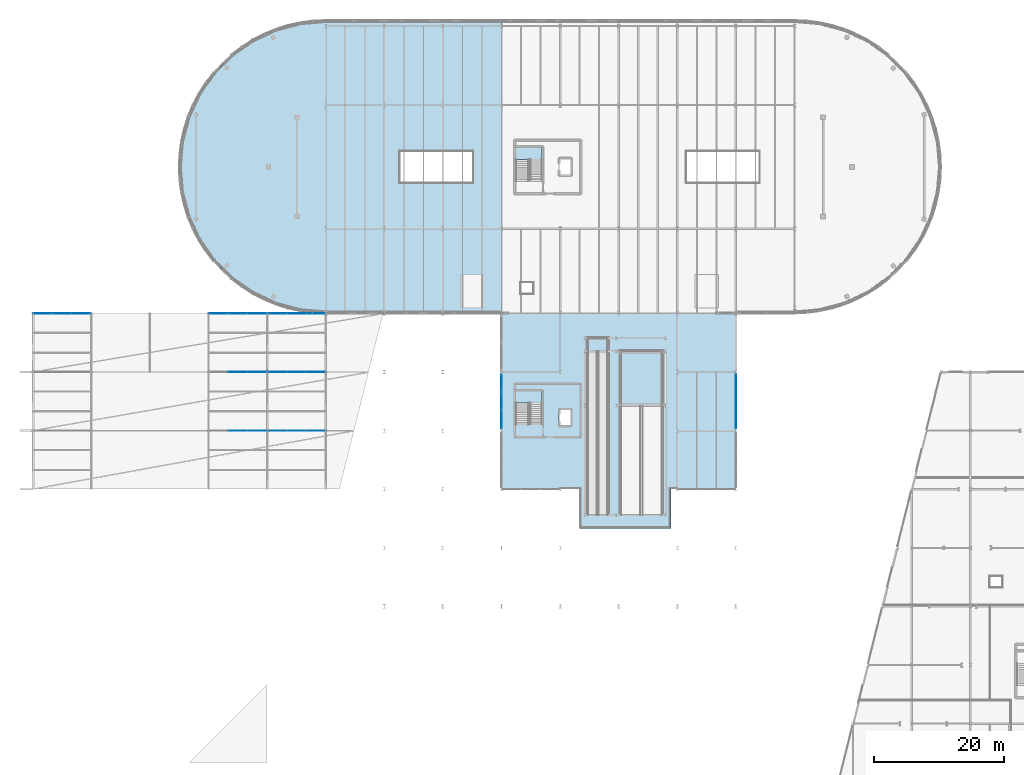
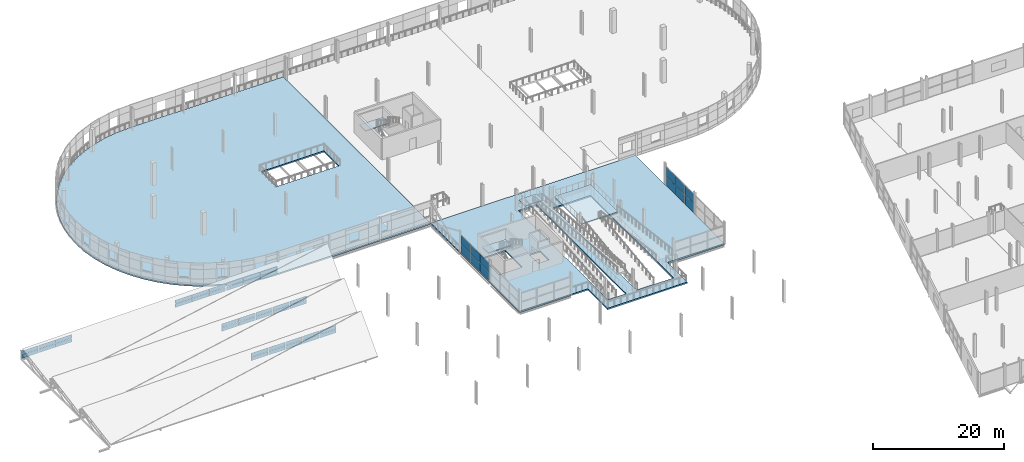
# One storey, part 72 of 103: 50 plates, 6 slabs, 12 elements without a shape of their own.
"""IFC4 building model written with IfcOpenShell, lengths in metres."""

from ifc_helpers import new_model, si_unit, direction, frame, origin, origin_2d, place, context, subcontext, project, spatial, polyline, rectangle, outline, extrude, material, layer, layer_set, type_object, element, aggregate, save


model = new_model("IFC4")

# Units and contexts
model_context = context("Model", 3, precision=1e-05, world=origin(), true_north=direction((0.0, 1.0)))
body_context = subcontext(model_context, "Body", "Model", "MODEL_VIEW")
ifc_project = project(units=[si_unit("LENGTHUNIT", "METRE"), si_unit("AREAUNIT", "SQUARE_METRE"), si_unit("VOLUMEUNIT", "CUBIC_METRE"), si_unit("PLANEANGLEUNIT", "RADIAN"), si_unit("MASSUNIT", "GRAM", prefix="KILO")], contexts=[model_context])

# Site, building, storey
site_placement = place(None, origin())
site = spatial("IfcSite", under=ifc_project, at=site_placement, CompositionType="ELEMENT")
building_placement = place(site_placement, origin())
building = spatial("IfcBuilding", under=site, at=building_placement, Name="Deido Ridge Mobility Hub", CompositionType="ELEMENT")
storey_placement = place(building_placement, frame((0.0, 0.0, 12.60009765625)))
storey = spatial("IfcBuildingStorey", under=building, at=storey_placement, Name="L03", CompositionType="ELEMENT", Elevation=12.60009765625)

# Curtain wall, plates
ifc_material_1 = material(Name="Anodised aluminium EN AW-6063 T6", Category="aluminium")
ifc_layer_1 = layer(ifc_material_1, 0.2548828125, Name="Anodised aluminium EN AW-6063 T6")
ifc_layer_set_1 = layer_set([ifc_layer_1], Name="Anodised aluminium EN AW-6063 T6")
curtain_wall_type_1 = type_object("IfcCurtainWallType", Name="CW-UF-7", PredefinedType="USERDEFINED", material=ifc_layer_set_1)
curtain_wall_1_placement = place(storey_placement, origin())
curtain_wall_1 = element("IfcCurtainWall", 1, at=curtain_wall_1_placement, inside=storey, type_object=curtain_wall_type_1, Name="Unitised curtain wall CW7", ObjectType="UNITISED FACADE", PredefinedType="USERDEFINED")
ifc_material_2 = material(Name="Laminated solar-control low-E glass", Category="glass")
ifc_layer_2 = layer(ifc_material_2, 0.02587890625, Name="Laminated solar-control low-E glass")
ifc_layer_set_2 = layer_set([ifc_layer_2], Name="Laminated solar-control low-E glass")
plate_type_1 = type_object("IfcPlateType", Name="PLT-CWP-26", PredefinedType="CURTAIN_PANEL", material=ifc_layer_set_2)
plate_1_placement = place(storey_placement, frame((108.0, 64.67919921875, 0.0498046875), z_axis=(0.0, 0.0, 1.0), x_axis=(0.0, 1.0, 0.0)))
plate_1 = element("IfcPlate", 2, at=plate_1_placement, type_object=plate_type_1, Name="CW7 panel 1.1", PredefinedType="CURTAIN_PANEL", context=body_context, shape_type="SweptSolid", body=[
    extrude(rectangle(XDim=2.75830078125, YDim=0.02587890625, at=origin_2d()), origin(), (0.0, 0.0, 1.0), 1.72509765625),
])
plate_2_placement = place(storey_placement, frame((108.0, 64.67919921875, 1.824951171875), z_axis=(0.0, 0.0, 1.0), x_axis=(0.0, 1.0, 0.0)))
plate_2 = element("IfcPlate", 3, at=plate_2_placement, type_object=plate_type_1, Name="CW7 panel 1.2", PredefinedType="CURTAIN_PANEL", context=body_context, shape_type="SweptSolid", body=[
    extrude(rectangle(XDim=2.75830078125, YDim=0.02587890625, at=origin_2d()), origin(), (0.0, 0.0, 1.0), 1.72509765625),
])
plate_3_placement = place(storey_placement, frame((108.0, 67.5, 0.0498046875), z_axis=(0.0, 0.0, 1.0), x_axis=(0.0, 1.0, 0.0)))
plate_3 = element("IfcPlate", 4, at=plate_3_placement, type_object=plate_type_1, Name="CW7 panel 2.1", PredefinedType="CURTAIN_PANEL", context=body_context, shape_type="SweptSolid", body=[
    extrude(rectangle(XDim=2.783447265625, YDim=0.02587890625, at=origin_2d()), origin(), (0.0, 0.0, 1.0), 1.72509765625),
])
plate_4_placement = place(storey_placement, frame((108.0, 67.5, 1.824951171875), z_axis=(0.0, 0.0, 1.0), x_axis=(0.0, 1.0, 0.0)))
plate_4 = element("IfcPlate", 5, at=plate_4_placement, type_object=plate_type_1, Name="CW7 panel 2.2", PredefinedType="CURTAIN_PANEL", context=body_context, shape_type="SweptSolid", body=[
    extrude(rectangle(XDim=2.783447265625, YDim=0.02587890625, at=origin_2d()), origin(), (0.0, 0.0, 1.0), 1.72509765625),
])
plate_5_placement = place(storey_placement, frame((108.0, 70.32080078125, 0.0498046875), z_axis=(0.0, 0.0, 1.0), x_axis=(0.0, 1.0, 0.0)))
plate_5 = element("IfcPlate", 6, at=plate_5_placement, type_object=plate_type_1, Name="CW7 panel 3.1", PredefinedType="CURTAIN_PANEL", context=body_context, shape_type="SweptSolid", body=[
    extrude(rectangle(XDim=2.75830078125, YDim=0.02587890625, at=origin_2d()), origin(), (0.0, 0.0, 1.0), 1.72509765625),
])
plate_6_placement = place(storey_placement, frame((108.0, 70.32080078125, 1.824951171875), z_axis=(0.0, 0.0, 1.0), x_axis=(0.0, 1.0, 0.0)))
plate_6 = element("IfcPlate", 7, at=plate_6_placement, type_object=plate_type_1, Name="CW7 panel 3.2", PredefinedType="CURTAIN_PANEL", context=body_context, shape_type="SweptSolid", body=[
    extrude(rectangle(XDim=2.75830078125, YDim=0.02587890625, at=origin_2d()), origin(), (0.0, 0.0, 1.0), 1.72509765625),
])
aggregate(curtain_wall_1, [plate_1, plate_2, plate_3, plate_4, plate_5, plate_6])

ifc_layer_3 = layer(ifc_material_1, 0.14404296875, Name="Anodised aluminium EN AW-6063 T6")
ifc_layer_set_3 = layer_set([ifc_layer_3], Name="Anodised aluminium EN AW-6063 T6")
curtain_wall_type_2 = type_object("IfcCurtainWallType", Name="CW-GS-2", PredefinedType="USERDEFINED", material=ifc_layer_set_3)
curtain_wall_2_placement = place(storey_placement, origin())
curtain_wall_2 = element("IfcCurtainWall", 8, at=curtain_wall_2_placement, inside=storey, type_object=curtain_wall_type_2, Name="Unitised curtain wall GS2", ObjectType="GLAZED SCREEN", PredefinedType="USERDEFINED")
ifc_layer_4 = layer(ifc_material_2, 0.031005859375, Name="Laminated solar-control low-E glass")
ifc_layer_set_4 = layer_set([ifc_layer_4], Name="Laminated solar-control low-E glass")
plate_type_2 = type_object("IfcPlateType", Name="PLT-CWP-31", PredefinedType="CURTAIN_PANEL", material=ifc_layer_set_4)
plate_7_placement = place(storey_placement, frame((31.5, 63.0, 0.06005859375), z_axis=(0.0, 0.0, 1.0), x_axis=(1.0, 0.0, 0.0)))
plate_7 = element("IfcPlate", 9, at=plate_7_placement, type_object=plate_type_2, Name="GS2 panel 2.1", PredefinedType="CURTAIN_PANEL", context=body_context, shape_type="SweptSolid", body=[
    extrude(rectangle(XDim=2.93994140625, YDim=0.031005859375, at=origin_2d()), origin(), (0.0, 0.0, 1.0), 0.669921875),
])
plate_8_placement = place(storey_placement, frame((31.5, 63.0, 0.7900390625), z_axis=(0.0, 0.0, 1.0), x_axis=(1.0, 0.0, 0.0)))
plate_8 = element("IfcPlate", 10, at=plate_8_placement, type_object=plate_type_2, Name="GS2 panel 2.2", PredefinedType="CURTAIN_PANEL", context=body_context, shape_type="SweptSolid", body=[
    extrude(rectangle(XDim=2.93994140625, YDim=0.031005859375, at=origin_2d()), origin(), (0.0, 0.0, 1.0), 0.669921875),
])
plate_9_placement = place(storey_placement, frame((34.485107421875, 63.0, 0.06005859375), z_axis=(0.0, 0.0, 1.0), x_axis=(1.0, 0.0, 0.0)))
plate_9 = element("IfcPlate", 11, at=plate_9_placement, type_object=plate_type_2, Name="GS2 panel 3.1", PredefinedType="CURTAIN_PANEL", context=body_context, shape_type="SweptSolid", body=[
    extrude(rectangle(XDim=2.909912109375, YDim=0.031005859375, at=origin_2d()), origin(), (0.0, 0.0, 1.0), 0.669921875),
])
plate_10_placement = place(storey_placement, frame((34.485107421875, 63.0, 0.7900390625), z_axis=(0.0, 0.0, 1.0), x_axis=(1.0, 0.0, 0.0)))
plate_10 = element("IfcPlate", 12, at=plate_10_placement, type_object=plate_type_2, Name="GS2 panel 3.2", PredefinedType="CURTAIN_PANEL", context=body_context, shape_type="SweptSolid", body=[
    extrude(rectangle(XDim=2.909912109375, YDim=0.031005859375, at=origin_2d()), origin(), (0.0, 0.0, 1.0), 0.669921875),
])
aggregate(curtain_wall_2, [plate_7, plate_8, plate_9, plate_10])

curtain_wall_3_placement = place(storey_placement, origin())
curtain_wall_3 = element("IfcCurtainWall", 13, at=curtain_wall_3_placement, inside=storey, type_object=curtain_wall_type_2, Name="Unitised curtain wall GS2", ObjectType="GLAZED SCREEN", PredefinedType="USERDEFINED")
plate_11_placement = place(storey_placement, frame((37.514892578125, 63.0, 0.06005859375), z_axis=(0.0, 0.0, 1.0), x_axis=(1.0, 0.0, 0.0)))
plate_11 = element("IfcPlate", 14, at=plate_11_placement, type_object=plate_type_2, Name="GS2 panel 1.1", PredefinedType="CURTAIN_PANEL", context=body_context, shape_type="SweptSolid", body=[
    extrude(rectangle(XDim=2.909912109375, YDim=0.031005859375, at=origin_2d()), origin(), (0.0, 0.0, 1.0), 0.669921875),
])
plate_12_placement = place(storey_placement, frame((37.514892578125, 63.0, 0.7900390625), z_axis=(0.0, 0.0, 1.0), x_axis=(1.0, 0.0, 0.0)))
plate_12 = element("IfcPlate", 15, at=plate_12_placement, type_object=plate_type_2, Name="GS2 panel 1.2", PredefinedType="CURTAIN_PANEL", context=body_context, shape_type="SweptSolid", body=[
    extrude(rectangle(XDim=2.909912109375, YDim=0.031005859375, at=origin_2d()), origin(), (0.0, 0.0, 1.0), 0.669921875),
])
plate_13_placement = place(storey_placement, frame((40.5, 63.0, 0.06005859375), z_axis=(0.0, 0.0, 1.0), x_axis=(1.0, 0.0, 0.0)))
plate_13 = element("IfcPlate", 16, at=plate_13_placement, type_object=plate_type_2, Name="GS2 panel 2.1", PredefinedType="CURTAIN_PANEL", context=body_context, shape_type="SweptSolid", body=[
    extrude(rectangle(XDim=2.93994140625, YDim=0.031005859375, at=origin_2d()), origin(), (0.0, 0.0, 1.0), 0.669921875),
])
plate_14_placement = place(storey_placement, frame((40.5, 63.0, 0.7900390625), z_axis=(0.0, 0.0, 1.0), x_axis=(1.0, 0.0, 0.0)))
plate_14 = element("IfcPlate", 17, at=plate_14_placement, type_object=plate_type_2, Name="GS2 panel 2.2", PredefinedType="CURTAIN_PANEL", context=body_context, shape_type="SweptSolid", body=[
    extrude(rectangle(XDim=2.93994140625, YDim=0.031005859375, at=origin_2d()), origin(), (0.0, 0.0, 1.0), 0.669921875),
])
plate_15_placement = place(storey_placement, frame((43.485107421875, 63.0, 0.06005859375), z_axis=(0.0, 0.0, 1.0), x_axis=(1.0, 0.0, 0.0)))
plate_15 = element("IfcPlate", 18, at=plate_15_placement, type_object=plate_type_2, Name="GS2 panel 3.1", PredefinedType="CURTAIN_PANEL", context=body_context, shape_type="SweptSolid", body=[
    extrude(rectangle(XDim=2.909912109375, YDim=0.031005859375, at=origin_2d()), origin(), (0.0, 0.0, 1.0), 0.669921875),
])
plate_16_placement = place(storey_placement, frame((43.485107421875, 63.0, 0.7900390625), z_axis=(0.0, 0.0, 1.0), x_axis=(1.0, 0.0, 0.0)))
plate_16 = element("IfcPlate", 19, at=plate_16_placement, type_object=plate_type_2, Name="GS2 panel 3.2", PredefinedType="CURTAIN_PANEL", context=body_context, shape_type="SweptSolid", body=[
    extrude(rectangle(XDim=2.909912109375, YDim=0.031005859375, at=origin_2d()), origin(), (0.0, 0.0, 1.0), 0.669921875),
])
aggregate(curtain_wall_3, [plate_11, plate_12, plate_13, plate_14, plate_15, plate_16])

curtain_wall_4_placement = place(storey_placement, origin())
curtain_wall_4 = element("IfcCurtainWall", 20, at=curtain_wall_4_placement, inside=storey, type_object=curtain_wall_type_2, Name="Unitised curtain wall GS2", ObjectType="GLAZED SCREEN", PredefinedType="USERDEFINED")
ifc_layer_5 = layer(ifc_material_2, 0.032958984375, Name="Laminated solar-control low-E glass")
ifc_layer_set_5 = layer_set([ifc_layer_5], Name="Laminated solar-control low-E glass")
plate_type_3 = type_object("IfcPlateType", Name="PLT-CWP-33", PredefinedType="CURTAIN_PANEL", material=ifc_layer_set_5)
plate_17_placement = place(storey_placement, frame((31.5, 72.0, 0.06494140625), z_axis=(0.0, 0.0, 1.0), x_axis=(1.0, 0.0, 0.0)))
plate_17 = element("IfcPlate", 21, at=plate_17_placement, type_object=plate_type_3, Name="GS2 panel 2.1", PredefinedType="CURTAIN_PANEL", context=body_context, shape_type="SweptSolid", body=[
    extrude(rectangle(XDim=2.93505859375, YDim=0.032958984375, at=origin_2d()), origin(), (0.0, 0.0, 1.0), 0.66259765625),
])
plate_18_placement = place(storey_placement, frame((31.5, 72.0, 0.792236328125), z_axis=(0.0, 0.0, 1.0), x_axis=(1.0, 0.0, 0.0)))
plate_18 = element("IfcPlate", 22, at=plate_18_placement, type_object=plate_type_3, Name="GS2 panel 2.2", PredefinedType="CURTAIN_PANEL", context=body_context, shape_type="SweptSolid", body=[
    extrude(rectangle(XDim=2.93505859375, YDim=0.032958984375, at=origin_2d()), origin(), (0.0, 0.0, 1.0), 0.66259765625),
])
plate_19_placement = place(storey_placement, frame((34.483642578125, 72.0, 0.06494140625), z_axis=(0.0, 0.0, 1.0), x_axis=(1.0, 0.0, 0.0)))
plate_19 = element("IfcPlate", 23, at=plate_19_placement, type_object=plate_type_3, Name="GS2 panel 3.1", PredefinedType="CURTAIN_PANEL", context=body_context, shape_type="SweptSolid", body=[
    extrude(rectangle(XDim=2.902587890625, YDim=0.032958984375, at=origin_2d()), origin(), (0.0, 0.0, 1.0), 0.66259765625),
])
plate_20_placement = place(storey_placement, frame((34.483642578125, 72.0, 0.792236328125), z_axis=(0.0, 0.0, 1.0), x_axis=(1.0, 0.0, 0.0)))
plate_20 = element("IfcPlate", 24, at=plate_20_placement, type_object=plate_type_3, Name="GS2 panel 3.2", PredefinedType="CURTAIN_PANEL", context=body_context, shape_type="SweptSolid", body=[
    extrude(rectangle(XDim=2.902587890625, YDim=0.032958984375, at=origin_2d()), origin(), (0.0, 0.0, 1.0), 0.66259765625),
])
aggregate(curtain_wall_4, [plate_17, plate_18, plate_19, plate_20])

curtain_wall_5_placement = place(storey_placement, origin())
curtain_wall_5 = element("IfcCurtainWall", 25, at=curtain_wall_5_placement, inside=storey, type_object=curtain_wall_type_2, Name="Unitised curtain wall GS2", ObjectType="GLAZED SCREEN", PredefinedType="USERDEFINED")
plate_21_placement = place(storey_placement, frame((37.516357421875, 72.0, 0.06494140625), z_axis=(0.0, 0.0, 1.0), x_axis=(1.0, 0.0, 0.0)))
plate_21 = element("IfcPlate", 26, at=plate_21_placement, type_object=plate_type_3, Name="GS2 panel 1.1", PredefinedType="CURTAIN_PANEL", context=body_context, shape_type="SweptSolid", body=[
    extrude(rectangle(XDim=2.902587890625, YDim=0.032958984375, at=origin_2d()), origin(), (0.0, 0.0, 1.0), 0.66259765625),
])
plate_22_placement = place(storey_placement, frame((37.516357421875, 72.0, 0.792236328125), z_axis=(0.0, 0.0, 1.0), x_axis=(1.0, 0.0, 0.0)))
plate_22 = element("IfcPlate", 27, at=plate_22_placement, type_object=plate_type_3, Name="GS2 panel 1.2", PredefinedType="CURTAIN_PANEL", context=body_context, shape_type="SweptSolid", body=[
    extrude(rectangle(XDim=2.902587890625, YDim=0.032958984375, at=origin_2d()), origin(), (0.0, 0.0, 1.0), 0.66259765625),
])
plate_23_placement = place(storey_placement, frame((40.5, 72.0, 0.06494140625), z_axis=(0.0, 0.0, 1.0), x_axis=(1.0, 0.0, 0.0)))
plate_23 = element("IfcPlate", 28, at=plate_23_placement, type_object=plate_type_3, Name="GS2 panel 2.1", PredefinedType="CURTAIN_PANEL", context=body_context, shape_type="SweptSolid", body=[
    extrude(rectangle(XDim=2.93505859375, YDim=0.032958984375, at=origin_2d()), origin(), (0.0, 0.0, 1.0), 0.66259765625),
])
plate_24_placement = place(storey_placement, frame((40.5, 72.0, 0.792236328125), z_axis=(0.0, 0.0, 1.0), x_axis=(1.0, 0.0, 0.0)))
plate_24 = element("IfcPlate", 29, at=plate_24_placement, type_object=plate_type_3, Name="GS2 panel 2.2", PredefinedType="CURTAIN_PANEL", context=body_context, shape_type="SweptSolid", body=[
    extrude(rectangle(XDim=2.93505859375, YDim=0.032958984375, at=origin_2d()), origin(), (0.0, 0.0, 1.0), 0.66259765625),
])
plate_25_placement = place(storey_placement, frame((43.483642578125, 72.0, 0.06494140625), z_axis=(0.0, 0.0, 1.0), x_axis=(1.0, 0.0, 0.0)))
plate_25 = element("IfcPlate", 30, at=plate_25_placement, type_object=plate_type_3, Name="GS2 panel 3.1", PredefinedType="CURTAIN_PANEL", context=body_context, shape_type="SweptSolid", body=[
    extrude(rectangle(XDim=2.902587890625, YDim=0.032958984375, at=origin_2d()), origin(), (0.0, 0.0, 1.0), 0.66259765625),
])
plate_26_placement = place(storey_placement, frame((43.483642578125, 72.0, 0.792236328125), z_axis=(0.0, 0.0, 1.0), x_axis=(1.0, 0.0, 0.0)))
plate_26 = element("IfcPlate", 31, at=plate_26_placement, type_object=plate_type_3, Name="GS2 panel 3.2", PredefinedType="CURTAIN_PANEL", context=body_context, shape_type="SweptSolid", body=[
    extrude(rectangle(XDim=2.902587890625, YDim=0.032958984375, at=origin_2d()), origin(), (0.0, 0.0, 1.0), 0.66259765625),
])
aggregate(curtain_wall_5, [plate_21, plate_22, plate_23, plate_24, plate_25, plate_26])

curtain_wall_6_placement = place(storey_placement, origin())
curtain_wall_6 = element("IfcCurtainWall", 32, at=curtain_wall_6_placement, inside=storey, type_object=curtain_wall_type_2, Name="Unitised curtain wall GS2", ObjectType="GLAZED SCREEN", PredefinedType="USERDEFINED")
ifc_layer_6 = layer(ifc_material_2, 0.034912109375, Name="Laminated solar-control low-E glass")
ifc_layer_set_6 = layer_set([ifc_layer_6], Name="Laminated solar-control low-E glass")
plate_type_4 = type_object("IfcPlateType", Name="PLT-CWP-35", PredefinedType="CURTAIN_PANEL", material=ifc_layer_set_6)
plate_27_placement = place(storey_placement, frame((1.517578125, 81.0, 0.06982421875), z_axis=(0.0, 0.0, 1.0), x_axis=(1.0, 0.0, 0.0)))
plate_27 = element("IfcPlate", 33, at=plate_27_placement, type_object=plate_type_4, Name="GS2 panel 1.1", PredefinedType="CURTAIN_PANEL", context=body_context, shape_type="SweptSolid", body=[
    extrude(rectangle(XDim=2.89501953125, YDim=0.034912109375, at=origin_2d()), origin(), (0.0, 0.0, 1.0), 0.655029296875),
])
plate_28_placement = place(storey_placement, frame((1.517578125, 81.0, 0.794921875), z_axis=(0.0, 0.0, 1.0), x_axis=(1.0, 0.0, 0.0)))
plate_28 = element("IfcPlate", 34, at=plate_28_placement, type_object=plate_type_4, Name="GS2 panel 1.2", PredefinedType="CURTAIN_PANEL", context=body_context, shape_type="SweptSolid", body=[
    extrude(rectangle(XDim=2.89501953125, YDim=0.034912109375, at=origin_2d()), origin(), (0.0, 0.0, 1.0), 0.655029296875),
])
plate_29_placement = place(storey_placement, frame((4.5, 81.0, 0.06982421875), z_axis=(0.0, 0.0, 1.0), x_axis=(1.0, 0.0, 0.0)))
plate_29 = element("IfcPlate", 35, at=plate_29_placement, type_object=plate_type_4, Name="GS2 panel 2.1", PredefinedType="CURTAIN_PANEL", context=body_context, shape_type="SweptSolid", body=[
    extrude(rectangle(XDim=2.929931640625, YDim=0.034912109375, at=origin_2d()), origin(), (0.0, 0.0, 1.0), 0.655029296875),
])
plate_30_placement = place(storey_placement, frame((4.5, 81.0, 0.794921875), z_axis=(0.0, 0.0, 1.0), x_axis=(1.0, 0.0, 0.0)))
plate_30 = element("IfcPlate", 36, at=plate_30_placement, type_object=plate_type_4, Name="GS2 panel 2.2", PredefinedType="CURTAIN_PANEL", context=body_context, shape_type="SweptSolid", body=[
    extrude(rectangle(XDim=2.929931640625, YDim=0.034912109375, at=origin_2d()), origin(), (0.0, 0.0, 1.0), 0.655029296875),
])
plate_31_placement = place(storey_placement, frame((7.482421875, 81.0, 0.06982421875), z_axis=(0.0, 0.0, 1.0), x_axis=(1.0, 0.0, 0.0)))
plate_31 = element("IfcPlate", 37, at=plate_31_placement, type_object=plate_type_4, Name="GS2 panel 3.1", PredefinedType="CURTAIN_PANEL", context=body_context, shape_type="SweptSolid", body=[
    extrude(rectangle(XDim=2.89501953125, YDim=0.034912109375, at=origin_2d()), origin(), (0.0, 0.0, 1.0), 0.655029296875),
])
plate_32_placement = place(storey_placement, frame((7.482421875, 81.0, 0.794921875), z_axis=(0.0, 0.0, 1.0), x_axis=(1.0, 0.0, 0.0)))
plate_32 = element("IfcPlate", 38, at=plate_32_placement, type_object=plate_type_4, Name="GS2 panel 3.2", PredefinedType="CURTAIN_PANEL", context=body_context, shape_type="SweptSolid", body=[
    extrude(rectangle(XDim=2.89501953125, YDim=0.034912109375, at=origin_2d()), origin(), (0.0, 0.0, 1.0), 0.655029296875),
])
aggregate(curtain_wall_6, [plate_27, plate_28, plate_29, plate_30, plate_31, plate_32])

curtain_wall_7_placement = place(storey_placement, origin())
curtain_wall_7 = element("IfcCurtainWall", 39, at=curtain_wall_7_placement, inside=storey, type_object=curtain_wall_type_2, Name="Unitised curtain wall GS2", ObjectType="GLAZED SCREEN", PredefinedType="USERDEFINED")
plate_33_placement = place(storey_placement, frame((28.517578125, 81.0, 0.06982421875), z_axis=(0.0, 0.0, 1.0), x_axis=(1.0, 0.0, 0.0)))
plate_33 = element("IfcPlate", 40, at=plate_33_placement, type_object=plate_type_4, Name="GS2 panel 1.1", PredefinedType="CURTAIN_PANEL", context=body_context, shape_type="SweptSolid", body=[
    extrude(rectangle(XDim=2.89501953125, YDim=0.034912109375, at=origin_2d()), origin(), (0.0, 0.0, 1.0), 0.655029296875),
])
plate_34_placement = place(storey_placement, frame((28.517578125, 81.0, 0.794921875), z_axis=(0.0, 0.0, 1.0), x_axis=(1.0, 0.0, 0.0)))
plate_34 = element("IfcPlate", 41, at=plate_34_placement, type_object=plate_type_4, Name="GS2 panel 1.2", PredefinedType="CURTAIN_PANEL", context=body_context, shape_type="SweptSolid", body=[
    extrude(rectangle(XDim=2.89501953125, YDim=0.034912109375, at=origin_2d()), origin(), (0.0, 0.0, 1.0), 0.655029296875),
])
plate_35_placement = place(storey_placement, frame((31.5, 81.0, 0.06982421875), z_axis=(0.0, 0.0, 1.0), x_axis=(1.0, 0.0, 0.0)))
plate_35 = element("IfcPlate", 42, at=plate_35_placement, type_object=plate_type_4, Name="GS2 panel 2.1", PredefinedType="CURTAIN_PANEL", context=body_context, shape_type="SweptSolid", body=[
    extrude(rectangle(XDim=2.929931640625, YDim=0.034912109375, at=origin_2d()), origin(), (0.0, 0.0, 1.0), 0.655029296875),
])
plate_36_placement = place(storey_placement, frame((31.5, 81.0, 0.794921875), z_axis=(0.0, 0.0, 1.0), x_axis=(1.0, 0.0, 0.0)))
plate_36 = element("IfcPlate", 43, at=plate_36_placement, type_object=plate_type_4, Name="GS2 panel 2.2", PredefinedType="CURTAIN_PANEL", context=body_context, shape_type="SweptSolid", body=[
    extrude(rectangle(XDim=2.929931640625, YDim=0.034912109375, at=origin_2d()), origin(), (0.0, 0.0, 1.0), 0.655029296875),
])
plate_37_placement = place(storey_placement, frame((34.482421875, 81.0, 0.06982421875), z_axis=(0.0, 0.0, 1.0), x_axis=(1.0, 0.0, 0.0)))
plate_37 = element("IfcPlate", 44, at=plate_37_placement, type_object=plate_type_4, Name="GS2 panel 3.1", PredefinedType="CURTAIN_PANEL", context=body_context, shape_type="SweptSolid", body=[
    extrude(rectangle(XDim=2.89501953125, YDim=0.034912109375, at=origin_2d()), origin(), (0.0, 0.0, 1.0), 0.655029296875),
])
plate_38_placement = place(storey_placement, frame((34.482421875, 81.0, 0.794921875), z_axis=(0.0, 0.0, 1.0), x_axis=(1.0, 0.0, 0.0)))
plate_38 = element("IfcPlate", 45, at=plate_38_placement, type_object=plate_type_4, Name="GS2 panel 3.2", PredefinedType="CURTAIN_PANEL", context=body_context, shape_type="SweptSolid", body=[
    extrude(rectangle(XDim=2.89501953125, YDim=0.034912109375, at=origin_2d()), origin(), (0.0, 0.0, 1.0), 0.655029296875),
])
aggregate(curtain_wall_7, [plate_33, plate_34, plate_35, plate_36, plate_37, plate_38])

curtain_wall_8_placement = place(storey_placement, origin())
curtain_wall_8 = element("IfcCurtainWall", 46, at=curtain_wall_8_placement, inside=storey, type_object=curtain_wall_type_2, Name="Unitised curtain wall GS2", ObjectType="GLAZED SCREEN", PredefinedType="USERDEFINED")
plate_39_placement = place(storey_placement, frame((37.516357421875, 81.0, 0.06982421875), z_axis=(0.0, 0.0, 1.0), x_axis=(1.0, 0.0, 0.0)))
plate_39 = element("IfcPlate", 47, at=plate_39_placement, type_object=plate_type_4, Name="GS2 panel 1.1", PredefinedType="CURTAIN_PANEL", context=body_context, shape_type="SweptSolid", body=[
    extrude(rectangle(XDim=2.892578125, YDim=0.034912109375, at=origin_2d()), origin(), (0.0, 0.0, 1.0), 0.655029296875),
])
plate_40_placement = place(storey_placement, frame((37.516357421875, 81.0, 0.794921875), z_axis=(0.0, 0.0, 1.0), x_axis=(1.0, 0.0, 0.0)))
plate_40 = element("IfcPlate", 48, at=plate_40_placement, type_object=plate_type_4, Name="GS2 panel 1.2", PredefinedType="CURTAIN_PANEL", context=body_context, shape_type="SweptSolid", body=[
    extrude(rectangle(XDim=2.892578125, YDim=0.034912109375, at=origin_2d()), origin(), (0.0, 0.0, 1.0), 0.655029296875),
])
plate_41_placement = place(storey_placement, frame((40.496337890625, 81.0, 0.06982421875), z_axis=(0.0, 0.0, 1.0), x_axis=(1.0, 0.0, 0.0)))
plate_41 = element("IfcPlate", 49, at=plate_41_placement, type_object=plate_type_4, Name="GS2 panel 2.1", PredefinedType="CURTAIN_PANEL", context=body_context, shape_type="SweptSolid", body=[
    extrude(rectangle(XDim=2.927490234375, YDim=0.034912109375, at=origin_2d()), origin(), (0.0, 0.0, 1.0), 0.655029296875),
])
plate_42_placement = place(storey_placement, frame((40.496337890625, 81.0, 0.794921875), z_axis=(0.0, 0.0, 1.0), x_axis=(1.0, 0.0, 0.0)))
plate_42 = element("IfcPlate", 50, at=plate_42_placement, type_object=plate_type_4, Name="GS2 panel 2.2", PredefinedType="CURTAIN_PANEL", context=body_context, shape_type="SweptSolid", body=[
    extrude(rectangle(XDim=2.927490234375, YDim=0.034912109375, at=origin_2d()), origin(), (0.0, 0.0, 1.0), 0.655029296875),
])
plate_43_placement = place(storey_placement, frame((43.4765625, 81.0, 0.06982421875), z_axis=(0.0, 0.0, 1.0), x_axis=(1.0, 0.0, 0.0)))
plate_43 = element("IfcPlate", 51, at=plate_43_placement, type_object=plate_type_4, Name="GS2 panel 3.1", PredefinedType="CURTAIN_PANEL", context=body_context, shape_type="SweptSolid", body=[
    extrude(rectangle(XDim=2.892578125, YDim=0.034912109375, at=origin_2d()), origin(), (0.0, 0.0, 1.0), 0.655029296875),
])
plate_44_placement = place(storey_placement, frame((43.4765625, 81.0, 0.794921875), z_axis=(0.0, 0.0, 1.0), x_axis=(1.0, 0.0, 0.0)))
plate_44 = element("IfcPlate", 52, at=plate_44_placement, type_object=plate_type_4, Name="GS2 panel 3.2", PredefinedType="CURTAIN_PANEL", context=body_context, shape_type="SweptSolid", body=[
    extrude(rectangle(XDim=2.892578125, YDim=0.034912109375, at=origin_2d()), origin(), (0.0, 0.0, 1.0), 0.655029296875),
])
aggregate(curtain_wall_8, [plate_39, plate_40, plate_41, plate_42, plate_43, plate_44])

ifc_layer_7 = layer(ifc_material_1, 0.2099609375, Name="Anodised aluminium EN AW-6063 T6")
ifc_layer_set_7 = layer_set([ifc_layer_7], Name="Anodised aluminium EN AW-6063 T6")
curtain_wall_type_3 = type_object("IfcCurtainWallType", Name="CW-UF-4", PredefinedType="USERDEFINED", material=ifc_layer_set_7)
curtain_wall_9_placement = place(storey_placement, origin())
curtain_wall_9 = element("IfcCurtainWall", 53, at=curtain_wall_9_placement, inside=storey, type_object=curtain_wall_type_3, Name="Unitised curtain wall CW4", ObjectType="UNITISED FACADE", PredefinedType="USERDEFINED")
ifc_layer_8 = layer(ifc_material_2, 0.037109375, Name="Laminated solar-control low-E glass")
ifc_layer_set_8 = layer_set([ifc_layer_8], Name="Laminated solar-control low-E glass")
plate_type_5 = type_object("IfcPlateType", Name="PLT-CWP-37", PredefinedType="CURTAIN_PANEL", material=ifc_layer_set_8)
plate_45_placement = place(storey_placement, frame((72.0, 64.685302734375, 0.07470703125), z_axis=(0.0, 0.0, 1.0), x_axis=(0.0, 1.0, 0.0)))
plate_45 = element("IfcPlate", 54, at=plate_45_placement, type_object=plate_type_5, Name="CW4 panel 1.1", PredefinedType="CURTAIN_PANEL", context=body_context, shape_type="SweptSolid", body=[
    extrude(rectangle(XDim=2.720947265625, YDim=0.037109375, at=origin_2d()), origin(), (0.0, 0.0, 1.0), 1.612548828125),
])
plate_46_placement = place(storey_placement, frame((72.0, 64.685302734375, 1.76220703125), z_axis=(0.0, 0.0, 1.0), x_axis=(0.0, 1.0, 0.0)))
plate_46 = element("IfcPlate", 55, at=plate_46_placement, type_object=plate_type_5, Name="CW4 panel 1.2", PredefinedType="CURTAIN_PANEL", context=body_context, shape_type="SweptSolid", body=[
    extrude(rectangle(XDim=2.720947265625, YDim=0.037109375, at=origin_2d()), origin(), (0.0, 0.0, 1.0), 1.612548828125),
])
plate_47_placement = place(storey_placement, frame((72.0, 67.5, 0.07470703125), z_axis=(0.0, 0.0, 1.0), x_axis=(0.0, 1.0, 0.0)))
plate_47 = element("IfcPlate", 56, at=plate_47_placement, type_object=plate_type_5, Name="CW4 panel 2.1", PredefinedType="CURTAIN_PANEL", context=body_context, shape_type="SweptSolid", body=[
    extrude(rectangle(XDim=2.75830078125, YDim=0.037109375, at=origin_2d()), origin(), (0.0, 0.0, 1.0), 1.612548828125),
])
plate_48_placement = place(storey_placement, frame((72.0, 67.5, 1.76220703125), z_axis=(0.0, 0.0, 1.0), x_axis=(0.0, 1.0, 0.0)))
plate_48 = element("IfcPlate", 57, at=plate_48_placement, type_object=plate_type_5, Name="CW4 panel 2.2", PredefinedType="CURTAIN_PANEL", context=body_context, shape_type="SweptSolid", body=[
    extrude(rectangle(XDim=2.75830078125, YDim=0.037109375, at=origin_2d()), origin(), (0.0, 0.0, 1.0), 1.612548828125),
])
plate_49_placement = place(storey_placement, frame((72.0, 70.314697265625, 0.07470703125), z_axis=(0.0, 0.0, 1.0), x_axis=(0.0, 1.0, 0.0)))
plate_49 = element("IfcPlate", 58, at=plate_49_placement, type_object=plate_type_5, Name="CW4 panel 3.1", PredefinedType="CURTAIN_PANEL", context=body_context, shape_type="SweptSolid", body=[
    extrude(rectangle(XDim=2.720947265625, YDim=0.037109375, at=origin_2d()), origin(), (0.0, 0.0, 1.0), 1.612548828125),
])
plate_50_placement = place(storey_placement, frame((72.0, 70.314697265625, 1.76220703125), z_axis=(0.0, 0.0, 1.0), x_axis=(0.0, 1.0, 0.0)))
plate_50 = element("IfcPlate", 59, at=plate_50_placement, type_object=plate_type_5, Name="CW4 panel 3.2", PredefinedType="CURTAIN_PANEL", context=body_context, shape_type="SweptSolid", body=[
    extrude(rectangle(XDim=2.720947265625, YDim=0.037109375, at=origin_2d()), origin(), (0.0, 0.0, 1.0), 1.612548828125),
])
aggregate(curtain_wall_9, [plate_45, plate_46, plate_47, plate_48, plate_49, plate_50])

# Slabs
ifc_material_3 = material(Name="Concrete C35/45", Category="concrete")
ifc_layer_9 = layer(ifc_material_3, 0.264892578125, Name="Concrete C35/45")
ifc_layer_set_9 = layer_set([ifc_layer_9], Name="Concrete C35/45")
slab_type_1 = type_object("IfcSlabType", Name="SLB-FLR-265", PredefinedType="FLOOR", material=ifc_layer_set_9)
slab_1_placement = place(storey_placement, frame((0.0, 0.0, -0.26513671875)))
element("IfcSlab", 60, at=slab_1_placement, inside=storey, type_object=slab_type_1, Name="L03 V2 structural deck 45", PredefinedType="FLOOR", context=body_context, shape_type="SweptSolid", body=[
    extrude(outline(polyline([(72.02490234375, 54.0), (72.02490234375, 81.10009765625), (108.0, 81.10009765625), (108.0, 54.0), (98.0, 54.0), (98.0, 48.0), (84.0, 48.0), (84.0, 54.0), (72.02490234375, 54.0)]), holes=[polyline([(90.25, 50.0), (90.25, 75.25), (96.75, 75.25), (96.75, 50.0), (90.25, 50.0)]), polyline([(85.199951171875, 50.0), (85.199951171875, 77.25), (88.39990234375, 77.25), (88.39990234375, 50.0), (85.199951171875, 50.0)]), polyline([(82.75, 63.64990234375), (80.85009765625, 63.64990234375), (80.85009765625, 66.35009765625), (82.75, 66.35009765625), (82.75, 63.64990234375)]), polyline([(74.139892578125, 64.0), (74.139892578125, 69.10009765625), (78.239990234375, 69.10009765625), (78.239990234375, 64.0), (74.139892578125, 64.0)])]), origin(), (0.0, 0.0, 1.0), 0.26513671875),
])
slab_2_placement = place(storey_placement, frame((0.0, 0.0, -0.26513671875)))
element("IfcSlab", 61, at=slab_2_placement, inside=storey, type_object=slab_type_1, Name="L03 V4 structural deck 46", PredefinedType="FLOOR", context=body_context, shape_type="SweptSolid", body=[
    extrude(outline(polyline([(42.65869140625, 81.22265625), (40.3427734375, 81.589599609375), (38.077880859375, 82.1962890625), (35.88916015625, 83.03662109375), (33.800048828125, 84.10107421875), (31.83349609375, 85.3779296875), (30.011474609375, 86.853515625), (28.353515625, 88.511474609375), (26.8779296875, 90.33349609375), (25.60107421875, 92.300048828125), (24.53662109375, 94.38916015625), (23.6962890625, 96.577880859375), (23.089599609375, 98.8427734375), (22.72265625, 101.15869140625), (22.60009765625, 103.5), (22.72265625, 105.84130859375), (23.089599609375, 108.1572265625), (23.6962890625, 110.422119140625), (24.53662109375, 112.61083984375), (25.60107421875, 114.699951171875), (26.8779296875, 116.66650390625), (28.353515625, 118.488525390625), (30.011474609375, 120.146484375), (31.83349609375, 121.6220703125), (33.800048828125, 122.89892578125), (35.88916015625, 123.96337890625), (38.077880859375, 124.8037109375), (40.3427734375, 125.410400390625), (42.65869140625, 125.77734375), (45.0, 125.89990234375), (71.97509765625, 125.89990234375), (71.97509765625, 81.10009765625), (45.0, 81.10009765625), (42.65869140625, 81.22265625)]), holes=[polyline([(56.5, 101.199951171875), (56.5, 105.800048828125), (67.5, 105.800048828125), (67.5, 101.199951171875), (56.5, 101.199951171875)])]), origin(), (0.0, 0.0, 1.0), 0.26513671875),
])

# Ramp, slab
ramp_type = type_object("IfcRampType", Name="RAMP-CYC-STRAIGHT", PredefinedType="STRAIGHT_RUN_RAMP", material=ifc_material_3)
ramp_placement = place(storey_placement, origin())
ramp = element("IfcRamp", 62, at=ramp_placement, inside=storey, type_object=ramp_type, Name="Cycle and accessible ramp CR1 L03", PredefinedType="STRAIGHT_RUN_RAMP")
ifc_layer_10 = layer(ifc_material_3, 0.215087890625, Name="Concrete C35/45")
ifc_layer_set_10 = layer_set([ifc_layer_10], Name="Concrete C35/45")
slab_type_2 = type_object("IfcSlabType", Name="SLB-LND-215", PredefinedType="LANDING", material=ifc_layer_set_10)
slab_3_placement = place(storey_placement, frame((0.0, 0.0, 1.885009765625)))
slab_3 = element("IfcSlab", 63, at=slab_3_placement, type_object=slab_type_2, Name="Cycle ramp landing L03", PredefinedType="LANDING", context=body_context, shape_type="SweptSolid", body=[
    extrude(outline(polyline([(85.25, 75.199951171875), (88.35009765625, 75.199951171875), (88.35009765625, 77.199951171875), (85.25, 77.199951171875), (85.25, 75.199951171875)])), origin(), (0.0, 0.0, 1.0), 0.21484375),
])
aggregate(ramp, [slab_3])

# Slab
ifc_layer_11 = layer(ifc_material_3, 0.22509765625, Name="Concrete C35/45")
ifc_layer_set_11 = layer_set([ifc_layer_11], Name="Concrete C35/45")
slab_type_3 = type_object("IfcSlabType", Name="SLB-LND-225", PredefinedType="LANDING", material=ifc_layer_set_11)
slab_4_placement = place(storey_placement, frame((0.0, 0.0, 1.875)))
element("IfcSlab", 64, at=slab_4_placement, inside=storey, type_object=slab_type_3, Name="Vehicle ramp structural half-landing L03", PredefinedType="LANDING", context=body_context, shape_type="SweptSolid", body=[
    extrude(outline(polyline([(90.300048828125, 66.800048828125), (96.699951171875, 66.800048828125), (96.699951171875, 75.199951171875), (90.300048828125, 75.199951171875), (90.300048828125, 66.800048828125)])), origin(), (0.0, 0.0, 1.0), 0.224853515625),
])

# Stair, slab
stair_type = type_object("IfcStairType", Name="ST-CORE-DBL-1520", PredefinedType="DOUBLE_RETURN_STAIR", material=ifc_material_3)
stair_1_placement = place(storey_placement, origin())
stair_1 = element("IfcStair", 65, at=stair_1_placement, inside=storey, type_object=stair_type, Name="Protected exit stair ST4 (L03)", PredefinedType="DOUBLE_RETURN_STAIR")
ifc_layer_12 = layer(ifc_material_3, 0.18994140625, Name="Concrete C35/45")
ifc_layer_set_12 = layer_set([ifc_layer_12], Name="Concrete C35/45")
slab_type_4 = type_object("IfcSlabType", Name="SLB-STLND-190", PredefinedType="LANDING", material=ifc_layer_set_12)
slab_5_placement = place(storey_placement, frame((0.0, 0.0, 1.909912109375)))
slab_5 = element("IfcSlab", 66, at=slab_5_placement, type_object=slab_type_4, Name="ST4 landing 1", PredefinedType="LANDING", context=body_context, shape_type="SweptSolid", body=[
    extrude(outline(polyline([(74.14990234375, 67.25), (78.235107421875, 67.25), (78.235107421875, 69.074951171875), (74.14990234375, 69.074951171875), (74.14990234375, 67.25)])), origin(), (0.0, 0.0, 1.0), 0.18994140625),
])
aggregate(stair_1, [slab_5])

stair_2_placement = place(storey_placement, origin())
stair_2 = element("IfcStair", 67, at=stair_2_placement, inside=storey, type_object=stair_type, Name="Protected exit stair ST5 (L03)", PredefinedType="DOUBLE_RETURN_STAIR")
slab_6_placement = place(storey_placement, frame((0.0, 0.0, 1.909912109375)))
slab_6 = element("IfcSlab", 68, at=slab_6_placement, type_object=slab_type_4, Name="ST5 landing 1", PredefinedType="LANDING", context=body_context, shape_type="SweptSolid", body=[
    extrude(outline(polyline([(74.14990234375, 104.64990234375), (78.235107421875, 104.64990234375), (78.235107421875, 106.47509765625), (74.14990234375, 106.47509765625), (74.14990234375, 104.64990234375)])), origin(), (0.0, 0.0, 1.0), 0.18994140625),
])
aggregate(stair_2, [slab_6])

save(model, "model.ifc")
